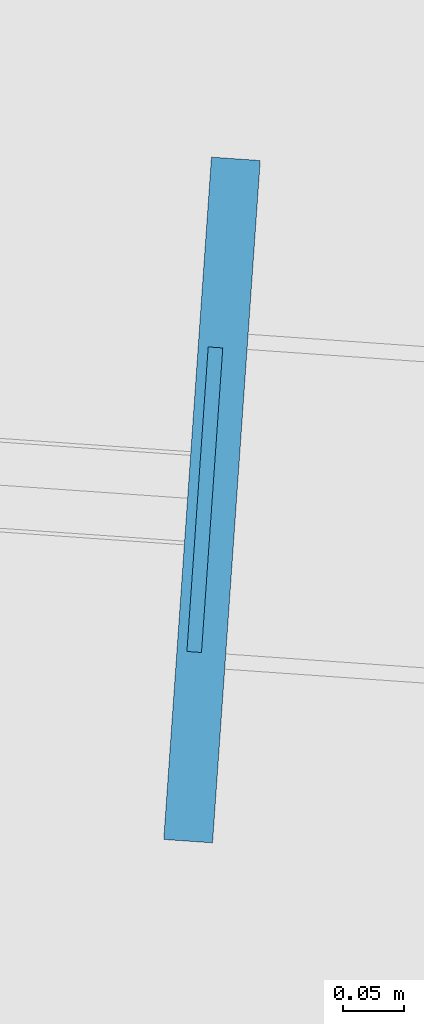
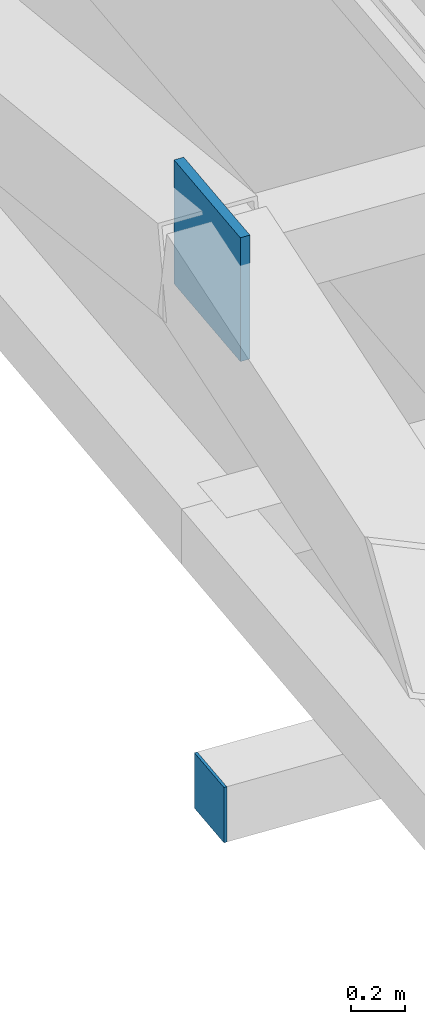
# One storey, part 29 of 39: 2 plates.
"""IFC4 building model written with IfcOpenShell, lengths in metres."""

from ifc_helpers import new_model, si_unit, direction, frame, origin, origin_2d, place, context, subcontext, project, spatial, rectangle, extrude, source, transform, mapped, material, layer, layer_set, type_object, element, save


model = new_model("IFC4")

# Units and contexts
model_context = context("Model", 3, precision=1e-05, world=origin(), true_north=direction((0.0, 1.0)))
body_context = subcontext(model_context, "Body", "Model", "MODEL_VIEW")
ifc_project = project(units=[si_unit("LENGTHUNIT", "METRE"), si_unit("AREAUNIT", "SQUARE_METRE"), si_unit("VOLUMEUNIT", "CUBIC_METRE"), si_unit("PLANEANGLEUNIT", "RADIAN"), si_unit("MASSUNIT", "GRAM", prefix="KILO")], contexts=[model_context])

# Site, building, storey
site_placement = place(None, origin())
site = spatial("IfcSite", under=ifc_project, at=site_placement, CompositionType="ELEMENT")
building_placement = place(site_placement, origin())
building = spatial("IfcBuilding", under=site, at=building_placement, Name="Taldren Reach Tower", CompositionType="ELEMENT")
storey_placement = place(building_placement, frame((0.0, 0.0, 133.0)))
storey = spatial("IfcBuildingStorey", under=building, at=storey_placement, Name="L40", CompositionType="ELEMENT", Elevation=133.0)

# Plates
ifc_material_1 = material(Name="Steel Gr 450 (C450L0)", Category="steel")
ifc_layer_1 = layer(ifc_material_1, 0.0400390625)
ifc_layer_set_1 = layer_set([ifc_layer_1], Name="Steel Gr 450 (C450L0)")
plate_type_1 = type_object("IfcPlateType", Name="PL-GUSSET-40", PredefinedType="SHEET", material=ifc_layer_set_1)
shared_shape_1 = source(origin(), body_context, "Body", "SweptSolid", [
    extrude(rectangle(XDim=0.56005859375, YDim=0.0400390625, at=origin_2d()), origin(), (0.0, 0.0, 1.0), 0.56005859375),
])
plate_1_placement = place(storey_placement, frame((8.3154296875, 21.9765625, 2.369873046875), z_axis=(0.0, 0.0, 1.0), x_axis=(0.069756473744, 0.99756405026, 0.0)))
element("IfcPlate", 1, at=plate_1_placement, inside=storey, type_object=plate_type_1, Name="Exoskeleton star-node gusset plate B3-W2 L40", PredefinedType="SHEET", context=body_context, shape_type="MappedRepresentation", body=[
    mapped(shared_shape_1, transform((0.0, 0.0, 0.0), scale=1.0)),
])
ifc_material_2 = material(Name="Steel Gr 350 (C350L0)", Category="steel")
ifc_layer_2 = layer(ifc_material_2, 0.011962890625)
ifc_layer_set_2 = layer_set([ifc_layer_2], Name="Steel Gr 350 (C350L0)")
plate_type_2 = type_object("IfcPlateType", Name="PL-CAP-250", PredefinedType="SHEET", material=ifc_layer_set_2)
shared_shape_2 = source(origin(), body_context, "Body", "SweptSolid", [
    extrude(rectangle(XDim=0.011962890625, YDim=0.25, at=origin_2d()), origin(), (0.0, 0.0, 1.0), 0.25),
])
plate_2_placement = place(storey_placement, frame((8.3095703125, 21.976806640625, 0.094970703125), z_axis=(0.0, 0.0, 1.0), x_axis=(0.99756405026, -0.069756473744, 0.0)))
element("IfcPlate", 2, at=plate_2_placement, inside=storey, type_object=plate_type_2, Name="Tie strut end cap plate B3-W2 L40", PredefinedType="SHEET", context=body_context, shape_type="MappedRepresentation", body=[
    mapped(shared_shape_2, transform((0.0, 0.0, 0.0), scale=1.0)),
])

save(model, "model.ifc")
